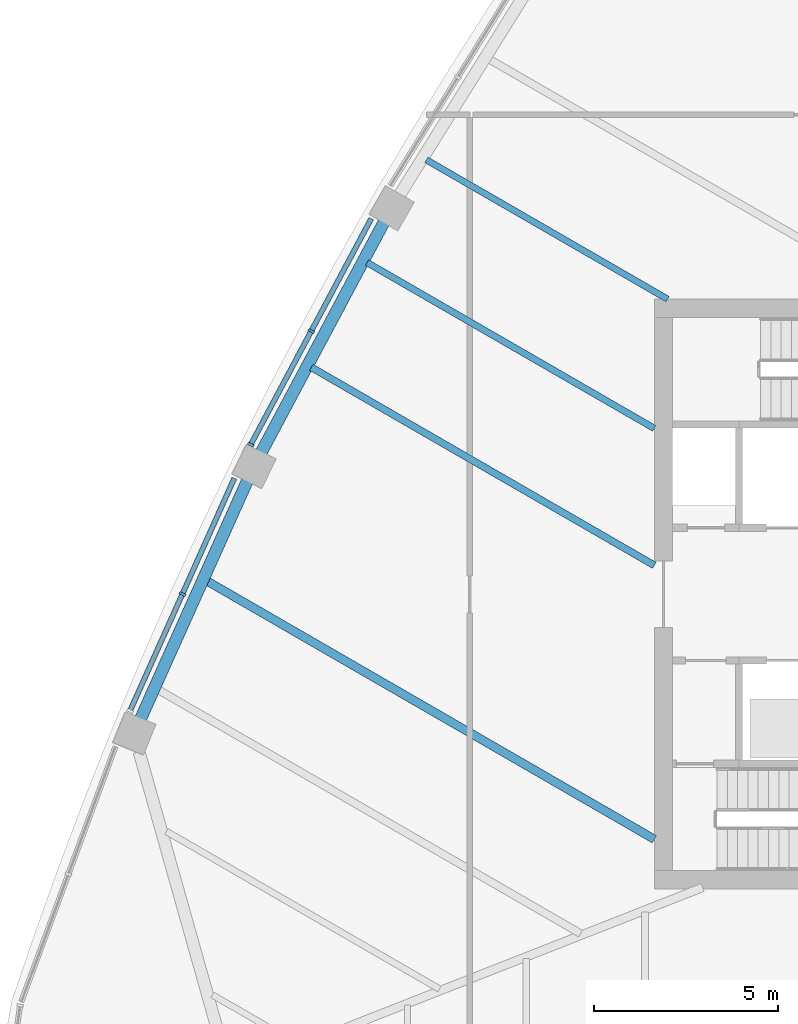
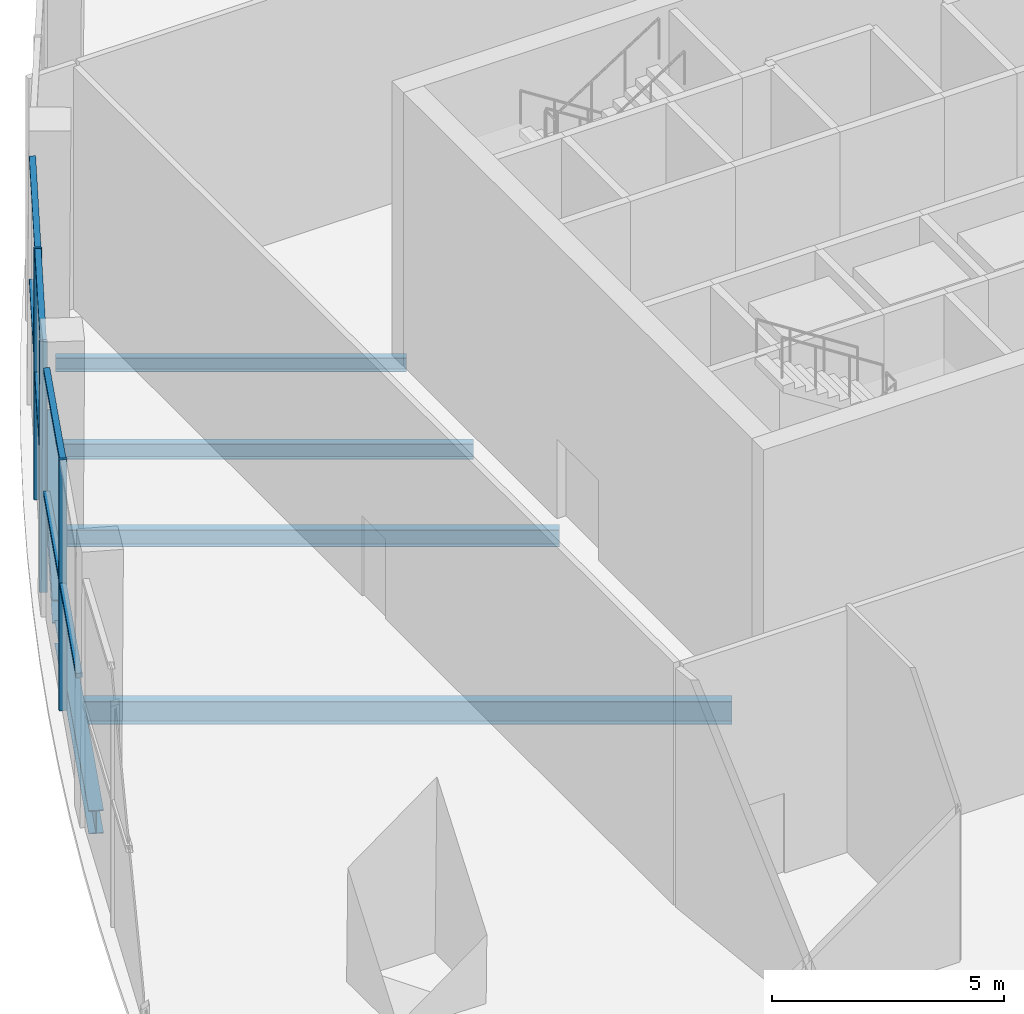
# One storey, part 3 of 15: 10 members, 6 beams, 2 elements without a shape of their own.
"""IFC4 building model written with IfcOpenShell, lengths in metres."""

from ifc_helpers import new_model, si_unit, direction, frame, origin, origin_2d, place, context, subcontext, project, spatial, rectangle, i_section, extrude, material, layer, layer_set, material_profile, profile_set, type_object, element, aggregate, save


model = new_model("IFC4")

# Units and contexts
model_context = context("Model", 3, precision=1e-05, world=origin(), true_north=direction((0.0, 1.0)))
body_context = subcontext(model_context, "Body", "Model", "MODEL_VIEW")
ifc_project = project(units=[si_unit("LENGTHUNIT", "METRE"), si_unit("AREAUNIT", "SQUARE_METRE"), si_unit("VOLUMEUNIT", "CUBIC_METRE"), si_unit("PLANEANGLEUNIT", "RADIAN"), si_unit("MASSUNIT", "GRAM", prefix="KILO")], contexts=[model_context])

# Site, building, storey
site_placement = place(None, origin())
site = spatial("IfcSite", under=ifc_project, at=site_placement, CompositionType="ELEMENT")
building_placement = place(site_placement, origin())
building = spatial("IfcBuilding", under=site, at=building_placement, Name="Sierra Prisma Convention Tower", CompositionType="ELEMENT")
storey_placement = place(building_placement, frame((0.0, 0.0, 219.800048828125)))
storey = spatial("IfcBuildingStorey", under=building, at=storey_placement, Name="L49", CompositionType="ELEMENT", Elevation=219.800048828125)

# Curtain wall, members
ifc_material_1 = material(Name="Aluminium and glass curtain wall", Category="aluminium")
ifc_layer = layer(ifc_material_1, 0.179931640625)
ifc_layer_set = layer_set([ifc_layer], Name="CW-4 Sky lobby double-height curtain wall")
curtain_wall_type = type_object("IfcCurtainWallType", Name="CW-4 Sky lobby double-height curtain wall", PredefinedType="NOTDEFINED", material=ifc_layer_set)
curtain_wall_1_placement = place(storey_placement, origin())
curtain_wall_1 = element("IfcCurtainWall", 1, at=curtain_wall_1_placement, inside=storey, type_object=curtain_wall_type, Name="CW-4 NW4 L49", PredefinedType="NOTDEFINED")
ifc_material_2 = material(Name="Aluminium 6063-T6 bronze anodised", Category="aluminium")
ifc_material_profile_1 = material_profile(ifc_material_2, rectangle(XDim=0.179931640625, YDim=0.070068359375, at=origin_2d()), Name="ALU MULLION 70x180")
ifc_profile_set_1 = profile_set([ifc_material_profile_1], Name="Aluminium 6063-T6 bronze anodised")
member_type_1 = type_object("IfcMemberType", Name="CW mullion bronze", PredefinedType="MULLION", material=ifc_profile_set_1)
member_1_placement = place(storey_placement, frame((-20.30224609375, 7.1337890625, 0.0), z_axis=(0.0, 0.0, 1.0), x_axis=(0.882532602679, -0.470251214999, 0.0)))
member_1 = element("IfcMember", 2, at=member_1_placement, type_object=member_type_1, Name="CW-4 mullion NW4.2", PredefinedType="MULLION", context=body_context, shape_type="SweptSolid", body=[
    extrude(rectangle(XDim=0.179931640625, YDim=0.070068359375, at=origin_2d()), origin(), (0.0, 0.0, 1.0), 6.599853515625),
])
member_2_placement = place(storey_placement, frame((-21.943359375, 4.053466796875, 0.0), z_axis=(0.0, 0.0, 1.0), x_axis=(0.882532602679, -0.470251214999, 0.0)))
member_2 = element("IfcMember", 3, at=member_2_placement, type_object=member_type_1, Name="CW-4 mullion NW4.3", PredefinedType="MULLION", context=body_context, shape_type="SweptSolid", body=[
    extrude(rectangle(XDim=0.179931640625, YDim=0.070068359375, at=origin_2d()), origin(), (0.0, 0.0, 1.0), 6.599853515625),
])

# Curtain wall, member
curtain_wall_2_placement = place(storey_placement, origin())
curtain_wall_2 = element("IfcCurtainWall", 4, at=curtain_wall_2_placement, inside=storey, type_object=curtain_wall_type, Name="CW-4 NW5 L49", PredefinedType="NOTDEFINED")
member_3_placement = place(storey_placement, frame((-23.79736328125, 0.001708984375, 0.0), z_axis=(0.0, 0.0, 1.0), x_axis=(0.912464540386, -0.409155792502, 0.0)))
member_3 = element("IfcMember", 5, at=member_3_placement, type_object=member_type_1, Name="CW-4 mullion NW5.2", PredefinedType="MULLION", context=body_context, shape_type="SweptSolid", body=[
    extrude(rectangle(XDim=0.179931640625, YDim=0.070068359375, at=origin_2d()), origin(), (0.0, 0.0, 1.0), 6.599853515625),
])

# Member
ifc_material_3 = material(Name="Aluminium 6063-T6 bronze anodised", Category="aluminium")
ifc_material_profile_2 = material_profile(ifc_material_3, rectangle(XDim=0.139892578125, YDim=0.1201171875, at=origin_2d()), Name="ALU TRANSOM 120x140")
ifc_profile_set_2 = profile_set([ifc_material_profile_2], Name="Aluminium 6063-T6 bronze anodised")
member_type_2 = type_object("IfcMemberType", Name="CW transom bronze", PredefinedType="USERDEFINED", material=ifc_profile_set_2)
member_4_placement = place(storey_placement, frame((-18.67724609375, 10.18310546875, 6.5400390625), z_axis=(-0.470276982197, -0.882518872328, 0.0), x_axis=(0.882518872328, -0.470276982197, 0.0)))
member_4 = element("IfcMember", 6, at=member_4_placement, type_object=member_type_2, Name="CW-4 transom NW4.1", ObjectType="TRANSOM", PredefinedType="USERDEFINED", context=body_context, shape_type="SweptSolid", body=[
    extrude(rectangle(XDim=0.139892578125, YDim=0.1201171875, at=origin_2d()), origin(), (0.0, 0.0, 1.0), 3.420166015625),
])

member_5_placement = place(storey_placement, frame((-18.67724609375, 10.18310546875, 3.300048828125), z_axis=(-0.470276982197, -0.882518872328, 0.0), x_axis=(0.882518872328, -0.470276982197, 0.0)))
member_5 = element("IfcMember", 7, at=member_5_placement, type_object=member_type_2, Name="CW-4 transom NW4.1 mid", ObjectType="TRANSOM", PredefinedType="USERDEFINED", context=body_context, shape_type="SweptSolid", body=[
    extrude(rectangle(XDim=0.139892578125, YDim=0.1201171875, at=origin_2d()), origin(), (0.0, 0.0, 1.0), 3.420166015625),
])

member_6_placement = place(storey_placement, frame((-20.318603515625, 7.10302734375, 6.5400390625), z_axis=(-0.470247357468, -0.882534658126, 0.0), x_axis=(0.882534658126, -0.470247357468, 0.0)))
member_6 = element("IfcMember", 8, at=member_6_placement, type_object=member_type_2, Name="CW-4 transom NW4.2", ObjectType="TRANSOM", PredefinedType="USERDEFINED", context=body_context, shape_type="SweptSolid", body=[
    extrude(rectangle(XDim=0.139892578125, YDim=0.1201171875, at=origin_2d()), origin(), (0.0, 0.0, 1.0), 3.42041015625),
])

member_7_placement = place(storey_placement, frame((-20.318603515625, 7.10302734375, 3.300048828125), z_axis=(-0.470247357468, -0.882534658126, 0.0), x_axis=(0.882534658126, -0.470247357468, 0.0)))
member_7 = element("IfcMember", 9, at=member_7_placement, type_object=member_type_2, Name="CW-4 transom NW4.2 mid", ObjectType="TRANSOM", PredefinedType="USERDEFINED", context=body_context, shape_type="SweptSolid", body=[
    extrude(rectangle(XDim=0.139892578125, YDim=0.1201171875, at=origin_2d()), origin(), (0.0, 0.0, 1.0), 3.42041015625),
])

aggregate(curtain_wall_1, [member_1, member_2, member_4, member_5, member_6, member_7])

member_8_placement = place(storey_placement, frame((-22.39013671875, 3.14013671875, 6.5400390625), z_axis=(-0.409123852999, -0.912478861622, 0.0), x_axis=(0.912478861622, -0.409123852999, 0.0)))
member_8 = element("IfcMember", 10, at=member_8_placement, type_object=member_type_2, Name="CW-4 transom NW5.1", ObjectType="TRANSOM", PredefinedType="USERDEFINED", context=body_context, shape_type="SweptSolid", body=[
    extrude(rectangle(XDim=0.139892578125, YDim=0.1201171875, at=origin_2d()), origin(), (0.0, 0.0, 1.0), 3.404296875),
])

member_9_placement = place(storey_placement, frame((-22.39013671875, 3.14013671875, 3.300048828125), z_axis=(-0.409123852999, -0.912478861622, 0.0), x_axis=(0.912478861622, -0.409123852999, 0.0)))
member_9 = element("IfcMember", 11, at=member_9_placement, type_object=member_type_2, Name="CW-4 transom NW5.1 mid", ObjectType="TRANSOM", PredefinedType="USERDEFINED", context=body_context, shape_type="SweptSolid", body=[
    extrude(rectangle(XDim=0.139892578125, YDim=0.1201171875, at=origin_2d()), origin(), (0.0, 0.0, 1.0), 3.404296875),
])

member_10_placement = place(storey_placement, frame((-23.8115234375, -0.030029296875, 3.300048828125), z_axis=(-0.409183560055, -0.912452088704, 0.0), x_axis=(0.912452088704, -0.409183560055, 0.0)))
member_10 = element("IfcMember", 12, at=member_10_placement, type_object=member_type_2, Name="CW-4 transom NW5.2 mid", ObjectType="TRANSOM", PredefinedType="USERDEFINED", context=body_context, shape_type="SweptSolid", body=[
    extrude(rectangle(XDim=0.139892578125, YDim=0.1201171875, at=origin_2d()), origin(), (0.0, 0.0, 1.0), 3.404541015625),
])

aggregate(curtain_wall_2, [member_3, member_8, member_9, member_10])

# Beams
ifc_material_4 = material(Name="Steel ASTM A992 Gr 50", Category="steel")
ifc_material_profile_3 = material_profile(ifc_material_4, i_section(OverallWidth=0.172119140625, OverallDepth=0.35791015625, WebThickness=0.0078125, FlangeThickness=0.01318359375, at=origin_2d()), Name="W360x57")
ifc_profile_set_3 = profile_set([ifc_material_profile_3], Name="Steel ASTM A992 Gr 50")
beam_type_1 = type_object("IfcBeamType", Name="Floor joist W360x57", PredefinedType="JOIST", material=ifc_profile_set_3)
beam_1_placement = place(storey_placement, frame((-17.1806640625, 11.7763671875, -0.3291015625), z_axis=(0.866022479223, -0.500005065455, 0.0), x_axis=(0.500005065455, 0.866022479223, 0.0)))
element("IfcBeam", 13, at=beam_1_placement, inside=storey, type_object=beam_type_1, Name="Floor joist L49 NW07", PredefinedType="JOIST", context=body_context, shape_type="SweptSolid", body=[
    extrude(i_section(OverallWidth=0.172119140625, OverallDepth=0.35791015625, WebThickness=0.0078125, FlangeThickness=0.01318359375, at=origin_2d()), origin(), (0.0, 0.0, 1.0), 7.552734375),
])
ifc_material_5 = material(Name="Steel ASTM A992 Gr 50", Category="steel")
ifc_material_profile_4 = material_profile(ifc_material_5, i_section(OverallWidth=0.177978515625, OverallDepth=0.406982421875, WebThickness=0.0078125, FlangeThickness=0.0126953125, at=origin_2d()), Name="W410x60")
ifc_profile_set_4 = profile_set([ifc_material_profile_4], Name="Steel ASTM A992 Gr 50")
beam_type_2 = type_object("IfcBeamType", Name="Floor joist W410x60", PredefinedType="JOIST", material=ifc_profile_set_4)
beam_2_placement = place(storey_placement, frame((-18.788818359375, 8.99072265625, -0.353515625), z_axis=(0.866027820928, -0.499995813361, 0.0), x_axis=(0.499995813361, 0.866027820928, 0.0)))
element("IfcBeam", 14, at=beam_2_placement, inside=storey, type_object=beam_type_2, Name="Floor joist L49 NW08", PredefinedType="JOIST", context=body_context, shape_type="SweptSolid", body=[
    extrude(i_section(OverallWidth=0.177978515625, OverallDepth=0.406982421875, WebThickness=0.0078125, FlangeThickness=0.0126953125, at=origin_2d()), origin(), (0.0, 0.0, 1.0), 8.99365234375),
])
ifc_material_6 = material(Name="Steel ASTM A992 Gr 50", Category="steel")
ifc_material_profile_5 = material_profile(ifc_material_6, i_section(OverallWidth=0.18994140625, OverallDepth=0.45703125, WebThickness=0.009033203125, FlangeThickness=0.014404296875, at=origin_2d()), Name="W460x74")
ifc_profile_set_5 = profile_set([ifc_material_profile_5], Name="Steel ASTM A992 Gr 50")
beam_type_3 = type_object("IfcBeamType", Name="Floor joist W460x74", PredefinedType="JOIST", material=ifc_profile_set_5)
beam_3_placement = place(storey_placement, frame((-20.30224609375, 6.150390625, -0.378662109375), z_axis=(0.86601752972, -0.500013638032, 0.0), x_axis=(0.500013638032, 0.86601752972, 0.0)))
element("IfcBeam", 15, at=beam_3_placement, inside=storey, type_object=beam_type_3, Name="Floor joist L49 NW09", PredefinedType="JOIST", context=body_context, shape_type="SweptSolid", body=[
    extrude(i_section(OverallWidth=0.18994140625, OverallDepth=0.45703125, WebThickness=0.009033203125, FlangeThickness=0.014404296875, at=origin_2d()), origin(), (0.0, 0.0, 1.0), 10.741455078125),
])
ifc_material_7 = material(Name="Steel ASTM A992 Gr 50", Category="steel")
ifc_material_profile_6 = material_profile(ifc_material_7, i_section(OverallWidth=0.22802734375, OverallDepth=0.60302734375, WebThickness=0.010498046875, FlangeThickness=0.014892578125, at=origin_2d()), Name="W610x101")
ifc_profile_set_6 = profile_set([ifc_material_profile_6], Name="Steel ASTM A992 Gr 50")
beam_type_4 = type_object("IfcBeamType", Name="Floor joist W610x101", PredefinedType="JOIST", material=ifc_profile_set_6)
beam_4_placement = place(storey_placement, frame((-23.131591796875, 0.35546875, -0.45166015625), z_axis=(0.866026250715, -0.49999853307, 0.0), x_axis=(0.49999853307, 0.866026250715, 0.0)))
element("IfcBeam", 16, at=beam_4_placement, inside=storey, type_object=beam_type_4, Name="Floor joist L49 NW11", PredefinedType="JOIST", context=body_context, shape_type="SweptSolid", body=[
    extrude(i_section(OverallWidth=0.22802734375, OverallDepth=0.60302734375, WebThickness=0.010498046875, FlangeThickness=0.014892578125, at=origin_2d()), origin(), (0.0, 0.0, 1.0), 14.00830078125),
])
ifc_material_8 = material(Name="Steel ASTM A992 Gr 50", Category="steel")
ifc_material_profile_7 = material_profile(ifc_material_8, i_section(OverallWidth=0.324951171875, OverallDepth=0.615966796875, WebThickness=0.013916015625, FlangeThickness=0.021484375, at=origin_2d()), Name="W610x174")
ifc_profile_set_7 = profile_set([ifc_material_profile_7], Name="Steel ASTM A992 Gr 50")
beam_type_5 = type_object("IfcBeamType", Name="Spandrel beam W610x174", PredefinedType="BEAM", material=ifc_profile_set_7)
beam_5_placement = place(storey_placement, frame((-18.308349609375, 10.131591796875, -0.4580078125), z_axis=(-0.470243989618, -0.882536452634, 0.0), x_axis=(0.882536452634, -0.470243989618, 0.0)))
element("IfcBeam", 17, at=beam_5_placement, inside=storey, type_object=beam_type_5, Name="Spandrel L49-16", PredefinedType="BEAM", context=body_context, shape_type="SweptSolid", body=[
    extrude(i_section(OverallWidth=0.324951171875, OverallDepth=0.615966796875, WebThickness=0.013916015625, FlangeThickness=0.021484375, at=origin_2d()), origin(), (0.0, 0.0, 1.0), 7.1787109375),
])
beam_6_placement = place(storey_placement, frame((-22.0185546875, 3.113525390625, -0.4580078125), z_axis=(-0.409175036838, -0.912455910841, 0.0), x_axis=(0.912455910841, -0.409175036838, 0.0)))
element("IfcBeam", 18, at=beam_6_placement, inside=storey, type_object=beam_type_5, Name="Spandrel L49-17", PredefinedType="BEAM", context=body_context, shape_type="SweptSolid", body=[
    extrude(i_section(OverallWidth=0.324951171875, OverallDepth=0.615966796875, WebThickness=0.013916015625, FlangeThickness=0.021484375, at=origin_2d()), origin(), (0.0, 0.0, 1.0), 7.178466796875),
])

save(model, "model.ifc")
